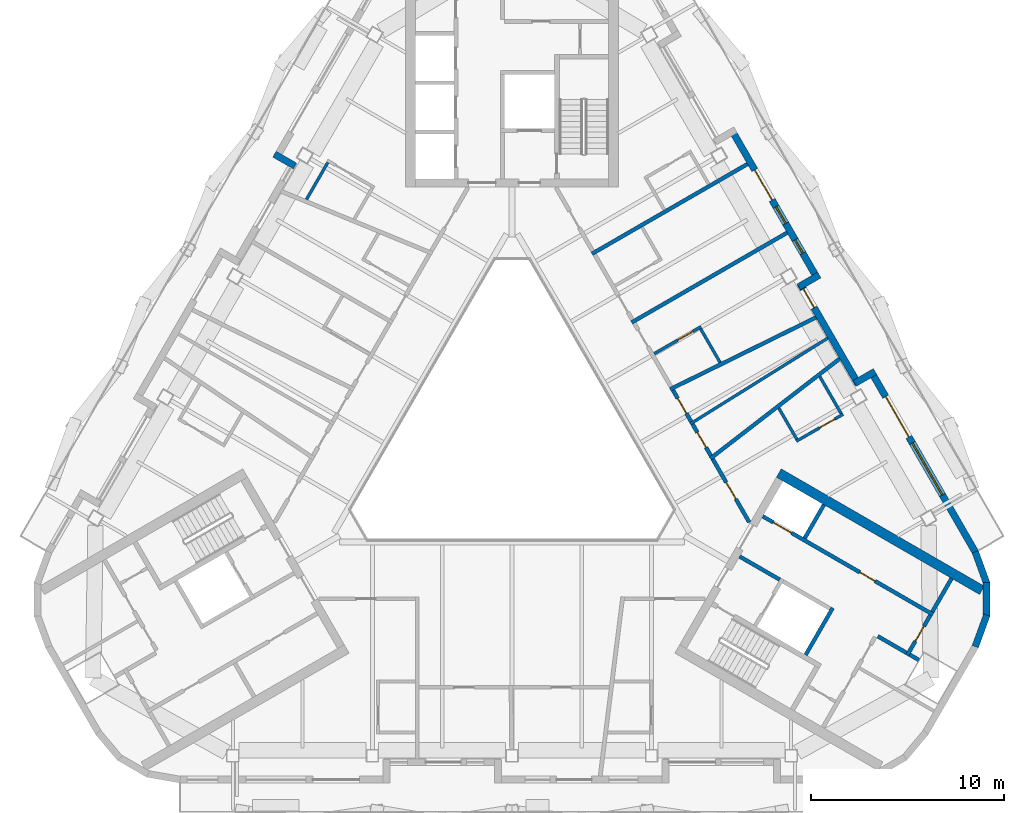
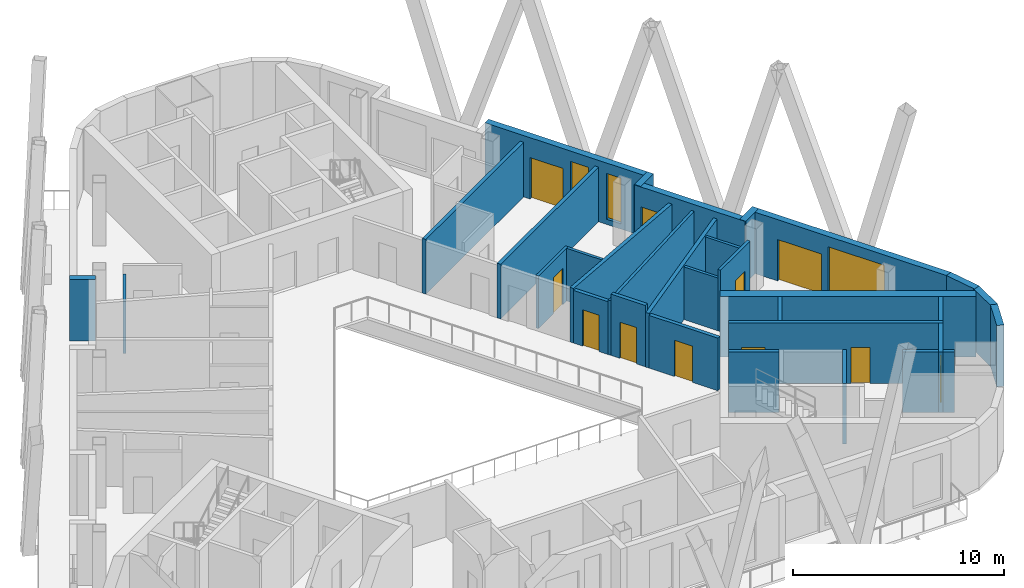
# One storey, part 6 of 13: 32 walls, 11 doors, 3 windows, 14 openings.
"""IFC4 building model written with IfcOpenShell, lengths in metres."""

from ifc_helpers import new_model, si_unit, direction, frame, frame_2d, origin, place, context, subcontext, project, spatial, rectangle, extrude, material, layer, layer_set, type_object, element, fill, save


model = new_model("IFC4")

# Units and contexts
model_context = context("Model", 3, precision=1e-05, world=origin(), true_north=direction((0.0, 1.0)))
body_context = subcontext(model_context, "Body", "Model", "MODEL_VIEW")
ifc_project = project(units=[si_unit("LENGTHUNIT", "METRE"), si_unit("AREAUNIT", "SQUARE_METRE"), si_unit("VOLUMEUNIT", "CUBIC_METRE"), si_unit("PLANEANGLEUNIT", "RADIAN"), si_unit("MASSUNIT", "GRAM", prefix="KILO")], contexts=[model_context])

# Site, building, storey
site_placement = place(None, origin())
site = spatial("IfcSite", under=ifc_project, at=site_placement, CompositionType="ELEMENT")
building_placement = place(site_placement, origin())
building = spatial("IfcBuilding", under=site, at=building_placement, Name="Apuvela Tower Hotel", CompositionType="ELEMENT")
storey_placement = place(building_placement, frame((0.0, 0.0, 280.0)))
storey = spatial("IfcBuildingStorey", under=building, at=storey_placement, Name="L69", CompositionType="ELEMENT", Elevation=280.0)

# Walls
ifc_material_1 = material(Name="Concrete C50/60", Category="concrete")
ifc_layer_1 = layer(ifc_material_1, 0.5)
ifc_layer_set_1 = layer_set([ifc_layer_1], Name="COR-WALL-CORE-500")
wall_type_1 = type_object("IfcWallType", Name="COR-WALL-CORE-500", PredefinedType="SHEAR", material=ifc_layer_set_1)
wall_1_placement = place(storey_placement, frame((13.796630859375, -1.9033203125, 0.0), z_axis=(0.0, 0.0, 1.0), x_axis=(0.866024688907, -0.500001238203, 0.0)))
element("IfcWall", 1, at=wall_1_placement, inside=storey, type_object=wall_type_1, Name="Core wall SE", PredefinedType="SHEAR", context=body_context, shape_type="SweptSolid", body=[
    extrude(rectangle(XDim=12.12890625, YDim=0.5, at=frame_2d((6.064453125, 0.0))), origin(), (0.0, 0.0, 1.0), 3.5),
])
ifc_layer_2 = layer(ifc_material_1, 0.199951171875)
ifc_layer_set_2 = layer_set([ifc_layer_2], Name="COR-WALL-SHAFT-200")
wall_type_2 = type_object("IfcWallType", Name="COR-WALL-SHAFT-200", PredefinedType="SHEAR", material=ifc_layer_set_2)
wall_2_placement = place(storey_placement, frame((15.181396484375, -11.305419921875, 0.0), z_axis=(0.0, 0.0, 1.0), x_axis=(0.49994636267, 0.866056369097, 0.0)))
element("IfcWall", 2, at=wall_2_placement, inside=storey, type_object=wall_type_2, Name="Shaft wall SE", PredefinedType="SHEAR", context=body_context, shape_type="SweptSolid", body=[
    extrude(rectangle(XDim=2.800048828125, YDim=0.199951171875, at=frame_2d((1.39990234375, 0.0))), origin(), (0.0, 0.0, 1.0), 3.5),
])
wall_3_placement = place(storey_placement, frame((11.76806640625, -6.217041015625, 0.0), z_axis=(0.0, 0.0, 1.0), x_axis=(0.866050077142, -0.499957262057, 0.0)))
element("IfcWall", 3, at=wall_3_placement, inside=storey, type_object=wall_type_2, Name="Shaft wall SE", PredefinedType="SHEAR", context=body_context, shape_type="SweptSolid", body=[
    extrude(rectangle(XDim=2.400146484375, YDim=0.199951171875, at=frame_2d((1.2001953125, 0.0))), origin(), (0.0, 0.0, 1.0), 3.5),
])

# Wall, openings, doors
wall_4_placement = place(storey_placement, frame((12.968017578125, -4.138427734375, 0.0), z_axis=(0.0, 0.0, 1.0), x_axis=(0.866028328073, -0.49999493495, 0.0)))
wall_4 = element("IfcWall", 4, at=wall_4_placement, inside=storey, type_object=wall_type_2, Name="Shaft wall SE", PredefinedType="SHEAR", context=body_context, shape_type="SweptSolid", body=[
    extrude(rectangle(XDim=10.16015625, YDim=0.199951171875, at=frame_2d((5.080078125, 0.0))), origin(), (0.0, 0.0, 1.0), 3.5),
])
opening_1_placement = place(wall_4_placement, frame((0.6201171875, 0.0, 0.0)))
opening_1 = element("IfcOpeningElement", 5, at=opening_1_placement, cuts=wall_4, Name="Opening E-LD-HR3", PredefinedType="OPENING", context=body_context, shape_type="SweptSolid", body=[
    extrude(rectangle(XDim=1.10009765625, YDim=2.10009765625, at=frame_2d((0.550048828125, 1.050048828125))), frame((0.0, 0.10986328125, 0.0), z_axis=(0.0, -1.0, 0.0), x_axis=(1.0, 0.0, 0.0)), (0.0, 0.0, 1.0), 0.219970703125),
])
opening_2_placement = place(wall_4_placement, frame((5.800048828125, 0.0, 0.0)))
opening_2 = element("IfcOpeningElement", 6, at=opening_2_placement, cuts=wall_4, Name="Opening E-RE2", PredefinedType="OPENING", context=body_context, shape_type="SweptSolid", body=[
    extrude(rectangle(XDim=0.89990234375, YDim=2.10009765625, at=frame_2d((0.449951171875, 1.050048828125))), frame((0.0, 0.10986328125, 0.0), z_axis=(0.0, -1.0, 0.0), x_axis=(1.0, 0.0, 0.0)), (0.0, 0.0, 1.0), 0.219970703125),
])
ifc_material_2 = material(Name="Steel fire door, powder coated", Category="steel")
door_type_1 = type_object("IfcDoorType", Name="COR-DR-900", OperationType="NOTDEFINED", PredefinedType="DOOR", material=ifc_material_2)
door_1_placement = place(opening_2_placement, origin())
door_1 = element("IfcDoor", 7, at=door_1_placement, inside=storey, type_object=door_type_1, Name="Store door E-RE2", OperationType="SINGLE_SWING_LEFT", OverallHeight=2.10009765625, OverallWidth=0.89990234375, PredefinedType="DOOR", context=body_context, shape_type="SweptSolid", body=[
    extrude(rectangle(XDim=0.89990234375, YDim=2.10009765625, at=frame_2d((0.449951171875, 1.050048828125))), frame((0.0, 0.02490234375, 0.0), z_axis=(0.0, -1.0, 0.0), x_axis=(1.0, 0.0, 0.0)), (0.0, 0.0, 1.0), 0.050048828125),
])
fill(opening_2, door_1)
ifc_material_3 = material(Name="Stainless steel lift landing door", Category="steel")
door_type_2 = type_object("IfcDoorType", Name="COR-LD-1100", OperationType="DOUBLE_DOOR_SLIDING", PredefinedType="DOOR", material=ifc_material_3)
door_2_placement = place(opening_1_placement, origin())
door_2 = element("IfcDoor", 8, at=door_2_placement, inside=storey, type_object=door_type_2, Name="Lift landing door E-LD-HR3", OperationType="DOUBLE_DOOR_SLIDING", OverallHeight=2.10009765625, OverallWidth=1.10009765625, PredefinedType="DOOR", context=body_context, shape_type="SweptSolid", body=[
    extrude(rectangle(XDim=1.10009765625, YDim=2.10009765625, at=frame_2d((0.550048828125, 1.050048828125))), frame((0.0, 0.02490234375, 0.0), z_axis=(0.0, -1.0, 0.0), x_axis=(1.0, 0.0, 0.0)), (0.0, 0.0, 1.0), 0.050048828125),
])
fill(opening_1, door_2)

# Wall, opening, door
wall_5_placement = place(storey_placement, frame((20.430419921875, -11.33349609375, 0.0), z_axis=(0.0, 0.0, 1.0), x_axis=(0.500001309137, 0.866024647952, 0.0)))
wall_5 = element("IfcWall", 9, at=wall_5_placement, inside=storey, type_object=wall_type_2, Name="Shaft wall SE", PredefinedType="SHEAR", context=body_context, shape_type="SweptSolid", body=[
    extrude(rectangle(XDim=2.39990234375, YDim=0.199951171875, at=frame_2d((1.199951171875, 0.0))), origin(), (0.0, 0.0, 1.0), 3.5),
])
opening_3_placement = place(wall_5_placement, frame((0.85009765625, 0.0, 0.0)))
opening_3 = element("IfcOpeningElement", 10, at=opening_3_placement, cuts=wall_5, Name="Opening E-REP", PredefinedType="OPENING", context=body_context, shape_type="SweptSolid", body=[
    extrude(rectangle(XDim=0.89990234375, YDim=2.10009765625, at=frame_2d((0.449951171875, 1.050048828125))), frame((0.0, 0.10986328125, 0.0), z_axis=(0.0, -1.0, 0.0), x_axis=(1.0, 0.0, 0.0)), (0.0, 0.0, 1.0), 0.219970703125),
])
door_3_placement = place(opening_3_placement, frame((0.89990234375, 0.0, 0.0), z_axis=(0.0, 0.0, 1.0), x_axis=(-1.0, 0.0, 0.0)))
door_3 = element("IfcDoor", 11, at=door_3_placement, inside=storey, type_object=door_type_1, Name="Store door E-REP", OperationType="SINGLE_SWING_RIGHT", OverallHeight=2.10009765625, OverallWidth=0.89990234375, PredefinedType="DOOR", context=body_context, shape_type="SweptSolid", body=[
    extrude(rectangle(XDim=0.89990234375, YDim=2.10009765625, at=frame_2d((0.449951171875, 1.050048828125))), frame((0.0, 0.02490234375, 0.0), z_axis=(0.0, -1.0, 0.0), x_axis=(1.0, 0.0, 0.0)), (0.0, 0.0, 1.0), 0.050048828125),
])
fill(opening_3, door_3)

# Walls
wall_6_placement = place(storey_placement, frame((18.912841796875, -10.342041015625, 0.0), z_axis=(0.0, 0.0, 1.0), x_axis=(0.866038183914, -0.499977863513, 0.0)))
element("IfcWall", 12, at=wall_6_placement, inside=storey, type_object=wall_type_2, Name="Shaft wall SE", PredefinedType="SHEAR", context=body_context, shape_type="SweptSolid", body=[
    extrude(rectangle(XDim=1.7099609375, YDim=0.199951171875, at=frame_2d((0.85498046875, 0.0))), origin(), (0.0, 0.0, 1.0), 3.5),
])
for number, where, z_axis, x_axis, name in (
    (13, (15.131103515625, -5.27197265625, 0.0), (0.0, 0.0, 1.0), (0.499972520799, 0.866041268327, 0.0), "Shaft wall SE"),
    (14, (21.73046875, -9.081787109375, 0.0), (0.0, 0.0, 1.0), (0.50002537861, 0.866010750942, 0.0), "Shaft wall SE"),
):
    element("IfcWall", number, at=place(storey_placement, frame(where, z_axis=z_axis, x_axis=x_axis)), inside=storey, type_object=wall_type_2, Name=name, PredefinedType="SHEAR", context=body_context, shape_type="SweptSolid", body=[
        extrude(rectangle(XDim=2.0, YDim=0.199951171875, at=frame_2d((1.0, 0.0))), origin(), (0.0, 0.0, 1.0), 3.5),
    ])
wall_7_placement = place(storey_placement, frame((20.56689453125, -11.297119140625, 0.0), z_axis=(0.0, 0.0, 1.0), x_axis=(0.866237429803, -0.49963258021, 0.0)))
element("IfcWall", 15, at=wall_7_placement, inside=storey, type_object=wall_type_2, Name="Shaft wall SE", PredefinedType="SHEAR", context=body_context, shape_type="SweptSolid", body=[
    extrude(rectangle(XDim=0.548828125, YDim=0.199951171875, at=frame_2d((0.2744140625, 0.0))), origin(), (0.0, 0.0, 1.0), 3.5),
])
ifc_material_4 = material(Name="Concrete C40/50, dark pigmented precast panel", Category="concrete")
ifc_layer_3 = layer(ifc_material_4, 0.35009765625)
ifc_layer_set_3 = layer_set([ifc_layer_3], Name="ENV-WALL-350")
wall_type_3 = type_object("IfcWallType", Name="ENV-WALL-350", PredefinedType="SOLIDWALL", material=ifc_layer_set_3)
wall_8_placement = place(storey_placement, frame((-12.281494140625, 14.585205078125, 0.0), z_axis=(0.0, 0.0, 1.0), x_axis=(0.866005645448, -0.500034220881, 0.0)))
element("IfcWall", 16, at=wall_8_placement, inside=storey, type_object=wall_type_3, Name="External wall L69-02", PredefinedType="SOLIDWALL", context=body_context, shape_type="SweptSolid", body=[
    extrude(rectangle(XDim=1.22021484375, YDim=0.35009765625, at=frame_2d((0.610107421875, 0.0))), origin(), (0.0, 0.0, 1.0), 3.550048828125),
])
for number, where, z_axis, x_axis, name in (
    (17, (23.954833984375, -10.8818359375, 0.0), (0.0, 0.0, 1.0), (0.34201271391, 0.939695324839, 0.0), "External wall L69-30"),
    (18, (24.541015625, -9.302490234375, 0.0), (0.0, 0.0, 1.0), (0.0, 1.0, 0.0), "External wall L69-31"),
    (19, (24.551513671875, -7.61767578125, 0.0), (0.0, 0.0, 1.0), (-0.34201271391, 0.939695324839, 0.0), "External wall L69-32"),
):
    element("IfcWall", number, at=place(storey_placement, frame(where, z_axis=z_axis, x_axis=x_axis)), inside=storey, type_object=wall_type_3, Name=name, PredefinedType="SOLIDWALL", context=body_context, shape_type="SweptSolid", body=[
        extrude(rectangle(XDim=1.74462890625, YDim=0.35009765625, at=frame_2d((0.872314453125, 0.0))), origin(), (0.0, 0.0, 1.0), 3.550048828125),
    ])

# Wall, openings, door, window
wall_9_placement = place(storey_placement, frame((23.9677734375, -6.005859375, 0.0), z_axis=(0.0, 0.0, 1.0), x_axis=(-0.500008899612, 0.86602026553, 0.0)))
wall_9 = element("IfcWall", 20, at=wall_9_placement, inside=storey, type_object=wall_type_3, Name="External wall L69-33", PredefinedType="SOLIDWALL", context=body_context, shape_type="SweptSolid", body=[
    extrude(rectangle(XDim=10.869873046875, YDim=0.35009765625, at=frame_2d((5.43505859375, 0.0))), origin(), (0.0, 0.0, 1.0), 3.550048828125),
])
opening_4_placement = place(wall_9_placement, frame((6.894287109375, 0.0, 0.0)))
opening_4 = element("IfcOpeningElement", 21, at=opening_4_placement, cuts=wall_9, Name="Opening BD24", PredefinedType="OPENING", context=body_context, shape_type="SweptSolid", body=[
    extrude(rectangle(XDim=2.39990234375, YDim=2.39990234375, at=frame_2d((1.199951171875, 1.199951171875))), frame((0.0, 0.18505859375, 0.0), z_axis=(0.0, -1.0, 0.0), x_axis=(1.0, 0.0, 0.0)), (0.0, 0.0, 1.0), 0.3701171875),
])
opening_5_placement = place(wall_9_placement, frame((3.42919921875, 0.0, 0.300048828125)))
opening_5 = element("IfcOpeningElement", 22, at=opening_5_placement, cuts=wall_9, Name="Opening WN31", PredefinedType="OPENING", context=body_context, shape_type="SweptSolid", body=[
    extrude(rectangle(XDim=3.10009765625, YDim=2.64990234375, at=frame_2d((1.550048828125, 1.324951171875))), frame((0.0, 0.18505859375, 0.0), z_axis=(0.0, -1.0, 0.0), x_axis=(1.0, 0.0, 0.0)), (0.0, 0.0, 1.0), 0.3701171875),
])
ifc_material_5 = material(Name="Aluminium 6063-T6, dark bronze anodised frame with dark tinted laminated glass", Category="aluminium")
door_type_3 = type_object("IfcDoorType", Name="ENV-DOOR-BALCONY-2400x2400", OperationType="SLIDING_TO_LEFT", PredefinedType="DOOR", material=ifc_material_5)
door_4_placement = place(opening_4_placement, frame((2.39990234375, 0.0, 0.0), z_axis=(0.0, 0.0, 1.0), x_axis=(-1.0, 0.0, 0.0)))
door_4 = element("IfcDoor", 23, at=door_4_placement, inside=storey, type_object=door_type_3, Name="Balcony door BD24", OperationType="SLIDING_TO_LEFT", OverallHeight=2.39990234375, OverallWidth=2.39990234375, PredefinedType="DOOR", context=body_context, shape_type="SweptSolid", body=[
    extrude(rectangle(XDim=2.39990234375, YDim=2.39990234375, at=frame_2d((1.199951171875, 1.199951171875))), frame((0.0, 0.02490234375, 0.0), z_axis=(0.0, -1.0, 0.0), x_axis=(1.0, 0.0, 0.0)), (0.0, 0.0, 1.0), 0.050048828125),
])
fill(opening_4, door_4)
ifc_material_6 = material(Name="Glass, dark tinted laminated insulated glazing unit", Category="glass")
window_type_1 = type_object("IfcWindowType", Name="ENV-WIN-3100x2650", PartitioningType="SINGLE_PANEL", PredefinedType="WINDOW", material=ifc_material_6)
window_1_placement = place(opening_5_placement, origin())
window_1 = element("IfcWindow", 24, at=window_1_placement, inside=storey, type_object=window_type_1, Name="Window WN31", OverallHeight=2.64990234375, OverallWidth=3.10009765625, PartitioningType="SINGLE_PANEL", PredefinedType="WINDOW", context=body_context, shape_type="SweptSolid", body=[
    extrude(rectangle(XDim=3.10009765625, YDim=2.64990234375, at=frame_2d((1.550048828125, 1.324951171875))), frame((0.0, 0.030029296875, 0.0), z_axis=(0.0, -1.0, 0.0), x_axis=(1.0, 0.0, 0.0)), (0.0, 0.0, 1.0), 0.06005859375),
])
fill(opening_5, window_1)

# Wall
wall_10_placement = place(storey_placement, frame((18.77197265625, 3.343505859375, 0.0), z_axis=(0.0, 0.0, 1.0), x_axis=(-0.866005645448, -0.500034220881, 0.0)))
element("IfcWall", 25, at=wall_10_placement, inside=storey, type_object=wall_type_3, Name="External wall L69-34", PredefinedType="SOLIDWALL", context=body_context, shape_type="SweptSolid", body=[
    extrude(rectangle(XDim=1.22021484375, YDim=0.35009765625, at=frame_2d((0.610107421875, 0.0))), origin(), (0.0, 0.0, 1.0), 3.550048828125),
])

# Wall, opening, door
wall_11_placement = place(storey_placement, frame((17.913330078125, 2.680419921875, 0.0), z_axis=(0.0, 0.0, 1.0), x_axis=(-0.499985371027, 0.866033849661, 0.0)))
wall_11 = element("IfcWall", 26, at=wall_11_placement, inside=storey, type_object=wall_type_3, Name="External wall L69-35", PredefinedType="SOLIDWALL", context=body_context, shape_type="SweptSolid", body=[
    extrude(rectangle(XDim=6.055419921875, YDim=0.35009765625, at=frame_2d((3.02783203125, 0.0))), origin(), (0.0, 0.0, 1.0), 3.550048828125),
])
opening_6_placement = place(wall_11_placement, frame((4.58984375, 0.0, 0.0)))
opening_6 = element("IfcOpeningElement", 27, at=opening_6_placement, cuts=wall_11, Name="Opening BD11", PredefinedType="OPENING", context=body_context, shape_type="SweptSolid", body=[
    extrude(rectangle(XDim=1.10009765625, YDim=2.39990234375, at=frame_2d((0.550048828125, 1.199951171875))), frame((0.0, 0.18505859375, 0.0), z_axis=(0.0, -1.0, 0.0), x_axis=(1.0, 0.0, 0.0)), (0.0, 0.0, 1.0), 0.3701171875),
])
door_type_4 = type_object("IfcDoorType", Name="ENV-DOOR-BALCONY-1100x2400", OperationType="SLIDING_TO_LEFT", PredefinedType="DOOR", material=ifc_material_5)
door_5_placement = place(opening_6_placement, frame((1.10009765625, 0.0, 0.0), z_axis=(0.0, 0.0, 1.0), x_axis=(-1.0, 0.0, 0.0)))
door_5 = element("IfcDoor", 28, at=door_5_placement, inside=storey, type_object=door_type_4, Name="Balcony door BD11", OperationType="SLIDING_TO_LEFT", OverallHeight=2.39990234375, OverallWidth=1.10009765625, PredefinedType="DOOR", context=body_context, shape_type="SweptSolid", body=[
    extrude(rectangle(XDim=1.10009765625, YDim=2.39990234375, at=frame_2d((0.550048828125, 1.199951171875))), frame((0.0, 0.02490234375, 0.0), z_axis=(0.0, -1.0, 0.0), x_axis=(1.0, 0.0, 0.0)), (0.0, 0.0, 1.0), 0.050048828125),
])
fill(opening_6, door_5)

# Wall
wall_12_placement = place(storey_placement, frame((14.83251953125, 7.7265625, 0.0), z_axis=(0.0, 0.0, 1.0), x_axis=(0.866142280446, 0.499797509021, 0.0)))
element("IfcWall", 29, at=wall_12_placement, inside=storey, type_object=wall_type_3, Name="External wall L69-36", PredefinedType="SOLIDWALL", context=body_context, shape_type="SweptSolid", body=[
    extrude(rectangle(XDim=1.22021484375, YDim=0.35009765625, at=frame_2d((0.610107421875, 0.0))), origin(), (0.0, 0.0, 1.0), 3.550048828125),
])

# Wall, openings, door, windows
wall_13_placement = place(storey_placement, frame((15.8251953125, 8.097412109375, 0.0), z_axis=(0.0, 0.0, 1.0), x_axis=(-0.500006872736, 0.866021435772, 0.0)))
wall_13 = element("IfcWall", 30, at=wall_13_placement, inside=storey, type_object=wall_type_3, Name="External wall L69-37", PredefinedType="SOLIDWALL", context=body_context, shape_type="SweptSolid", body=[
    extrude(rectangle(XDim=9.015380859375, YDim=0.35009765625, at=frame_2d((4.5078125, 0.0))), origin(), (0.0, 0.0, 1.0), 3.550048828125),
])
opening_7_placement = place(wall_13_placement, frame((1.5751953125, 0.0, 0.300048828125)))
opening_7 = element("IfcOpeningElement", 31, at=opening_7_placement, cuts=wall_13, Name="Opening WN08", PredefinedType="OPENING", context=body_context, shape_type="SweptSolid", body=[
    extrude(rectangle(XDim=0.800048828125, YDim=2.64990234375, at=frame_2d((0.39990234375, 1.324951171875))), frame((0.0, 0.18505859375, 0.0), z_axis=(0.0, -1.0, 0.0), x_axis=(1.0, 0.0, 0.0)), (0.0, 0.0, 1.0), 0.3701171875),
])
opening_8_placement = place(wall_13_placement, frame((4.75, 0.0, 0.0)))
opening_8 = element("IfcOpeningElement", 32, at=opening_8_placement, cuts=wall_13, Name="Opening BD18", PredefinedType="OPENING", context=body_context, shape_type="SweptSolid", body=[
    extrude(rectangle(XDim=1.800048828125, YDim=2.39990234375, at=frame_2d((0.89990234375, 1.199951171875))), frame((0.0, 0.18505859375, 0.0), z_axis=(0.0, -1.0, 0.0), x_axis=(1.0, 0.0, 0.0)), (0.0, 0.0, 1.0), 0.3701171875),
])
opening_9_placement = place(wall_13_placement, frame((3.35009765625, 0.0, 0.300048828125)))
opening_9 = element("IfcOpeningElement", 33, at=opening_9_placement, cuts=wall_13, Name="Opening WN10", PredefinedType="OPENING", context=body_context, shape_type="SweptSolid", body=[
    extrude(rectangle(XDim=1.0, YDim=2.64990234375, at=frame_2d((0.5, 1.324951171875))), frame((0.0, 0.18505859375, 0.0), z_axis=(0.0, -1.0, 0.0), x_axis=(1.0, 0.0, 0.0)), (0.0, 0.0, 1.0), 0.3701171875),
])
door_type_5 = type_object("IfcDoorType", Name="ENV-DOOR-BALCONY-1800x2400", OperationType="SLIDING_TO_LEFT", PredefinedType="DOOR", material=ifc_material_5)
door_6_placement = place(opening_8_placement, frame((1.800048828125, 0.0, 0.0), z_axis=(0.0, 0.0, 1.0), x_axis=(-1.0, 0.0, 0.0)))
door_6 = element("IfcDoor", 34, at=door_6_placement, inside=storey, type_object=door_type_5, Name="Balcony door BD18", OperationType="SLIDING_TO_LEFT", OverallHeight=2.39990234375, OverallWidth=1.800048828125, PredefinedType="DOOR", context=body_context, shape_type="SweptSolid", body=[
    extrude(rectangle(XDim=1.800048828125, YDim=2.39990234375, at=frame_2d((0.89990234375, 1.199951171875))), frame((0.0, 0.02490234375, 0.0), z_axis=(0.0, -1.0, 0.0), x_axis=(1.0, 0.0, 0.0)), (0.0, 0.0, 1.0), 0.050048828125),
])
fill(opening_8, door_6)
window_type_2 = type_object("IfcWindowType", Name="ENV-WIN-1000x2650", PartitioningType="SINGLE_PANEL", PredefinedType="WINDOW", material=ifc_material_6)
window_2_placement = place(opening_9_placement, origin())
window_2 = element("IfcWindow", 35, at=window_2_placement, inside=storey, type_object=window_type_2, Name="Window WN10", OverallHeight=2.64990234375, OverallWidth=1.0, PartitioningType="SINGLE_PANEL", PredefinedType="WINDOW", context=body_context, shape_type="SweptSolid", body=[
    extrude(rectangle(XDim=1.0, YDim=2.64990234375, at=frame_2d((0.5, 1.324951171875))), frame((0.0, 0.030029296875, 0.0), z_axis=(0.0, -1.0, 0.0), x_axis=(1.0, 0.0, 0.0)), (0.0, 0.0, 1.0), 0.06005859375),
])
fill(opening_9, window_2)
window_type_3 = type_object("IfcWindowType", Name="ENV-WIN-800x2650", PartitioningType="SINGLE_PANEL", PredefinedType="WINDOW", material=ifc_material_6)
window_3_placement = place(opening_7_placement, origin())
window_3 = element("IfcWindow", 36, at=window_3_placement, inside=storey, type_object=window_type_3, Name="Window WN08", OverallHeight=2.64990234375, OverallWidth=0.800048828125, PartitioningType="SINGLE_PANEL", PredefinedType="WINDOW", context=body_context, shape_type="SweptSolid", body=[
    extrude(rectangle(XDim=0.800048828125, YDim=2.64990234375, at=frame_2d((0.39990234375, 1.324951171875))), frame((0.0, 0.030029296875, 0.0), z_axis=(0.0, -1.0, 0.0), x_axis=(1.0, 0.0, 0.0)), (0.0, 0.0, 1.0), 0.06005859375),
])
fill(opening_7, window_3)

# Walls
ifc_material_7 = material(Name="Gypsum board partition on twin steel stud", Category="steel")
ifc_layer_4 = layer(ifc_material_7, 0.199951171875)
ifc_layer_set_4 = layer_set([ifc_layer_4], Name="GST-PW1")
wall_type_4 = type_object("IfcWallType", Name="GST-PW1", PredefinedType="PARTITIONING", material=ifc_layer_set_4)
wall_14_placement = place(storey_placement, frame((16.944580078125, 4.00830078125, 0.0), z_axis=(0.0, 0.0, 1.0), x_axis=(-0.791722394734, -0.610881043801, 0.0)))
element("IfcWall", 37, at=wall_14_placement, inside=storey, type_object=wall_type_4, Name="L69 partition 04", PredefinedType="PARTITIONING", context=body_context, shape_type="SweptSolid", body=[
    extrude(rectangle(XDim=8.453857421875, YDim=0.199951171875, at=frame_2d((4.22705078125, 0.0))), origin(), (0.0, 0.0, 1.0), 3.159912109375),
])
wall_15_placement = place(storey_placement, frame((15.714599609375, 6.13916015625, 0.0), z_axis=(0.0, 0.0, 1.0), x_axis=(-0.897120508699, -0.44178591294, 0.0)))
element("IfcWall", 38, at=wall_15_placement, inside=storey, type_object=wall_type_4, Name="L69 partition 05", PredefinedType="PARTITIONING", context=body_context, shape_type="SweptSolid", body=[
    extrude(rectangle(XDim=8.39697265625, YDim=0.199951171875, at=frame_2d((4.198486328125, 0.0))), origin(), (0.0, 0.0, 1.0), 3.159912109375),
])
wall_16_placement = place(storey_placement, frame((14.2236328125, 10.521484375, 0.0), z_axis=(0.0, 0.0, 1.0), x_axis=(-0.866024341471, -0.500001839976, 0.0)))
element("IfcWall", 39, at=wall_16_placement, inside=storey, type_object=wall_type_4, Name="L69 partition 06", PredefinedType="PARTITIONING", context=body_context, shape_type="SweptSolid", body=[
    extrude(rectangle(XDim=9.27880859375, YDim=0.199951171875, at=frame_2d((4.639404296875, 0.0))), origin(), (0.0, 0.0, 1.0), 3.159912109375),
])
wall_17_placement = place(storey_placement, frame((12.173583984375, 14.072021484375, 0.0), z_axis=(0.0, 0.0, 1.0), x_axis=(-0.866035734738, -0.499982105836, 0.0)))
element("IfcWall", 40, at=wall_17_placement, inside=storey, type_object=wall_type_4, Name="L69 partition 07", PredefinedType="PARTITIONING", context=body_context, shape_type="SweptSolid", body=[
    extrude(rectangle(XDim=9.278564453125, YDim=0.199951171875, at=frame_2d((4.63916015625, 0.0))), origin(), (0.0, 0.0, 1.0), 3.159912109375),
])

# Wall, opening, door
ifc_material_8 = material(Name="Gypsum board corridor wall on twin steel stud, acoustic", Category="steel")
ifc_layer_5 = layer(ifc_material_8, 0.199951171875)
ifc_layer_set_5 = layer_set([ifc_layer_5], Name="GST-PW2")
wall_type_5 = type_object("IfcWallType", Name="GST-PW2", PredefinedType="PARTITIONING", material=ifc_layer_set_5)
wall_18_placement = place(storey_placement, frame((10.3818359375, -1.181884765625, 0.0), z_axis=(0.0, 0.0, 1.0), x_axis=(0.50002859319, -0.866008894869, 0.0)))
wall_18 = element("IfcWall", 41, at=wall_18_placement, inside=storey, type_object=wall_type_5, Name="L69 partition 22", PredefinedType="PARTITIONING", context=body_context, shape_type="SweptSolid", body=[
    extrude(rectangle(XDim=3.773681640625, YDim=0.199951171875, at=frame_2d((1.88671875, 0.0))), origin(), (0.0, 0.0, 1.0), 3.050048828125),
])
opening_10_placement = place(wall_18_placement, frame((1.386962890625, 0.0, 0.0)))
opening_10 = element("IfcOpeningElement", 42, at=opening_10_placement, cuts=wall_18, Name="Opening GD28-08", PredefinedType="OPENING", context=body_context, shape_type="SweptSolid", body=[
    extrude(rectangle(XDim=1.0, YDim=2.10009765625, at=frame_2d((0.5, 1.050048828125))), frame((0.0, 0.10986328125, 0.0), z_axis=(0.0, -1.0, 0.0), x_axis=(1.0, 0.0, 0.0)), (0.0, 0.0, 1.0), 0.219970703125),
])
ifc_material_9 = material(Name="Timber door leaf in steel frame", Category="steel")
door_type_6 = type_object("IfcDoorType", Name="GST-D1", OperationType="NOTDEFINED", PredefinedType="DOOR", material=ifc_material_9)
door_7_placement = place(opening_10_placement, origin())
door_7 = element("IfcDoor", 43, at=door_7_placement, inside=storey, type_object=door_type_6, Name="Door L69-08", OperationType="SINGLE_SWING_LEFT", OverallHeight=2.10009765625, OverallWidth=1.0, PredefinedType="DOOR", context=body_context, shape_type="SweptSolid", body=[
    extrude(rectangle(XDim=1.0, YDim=2.10009765625, at=frame_2d((0.5, 1.050048828125))), frame((0.0, 0.02490234375, 0.0), z_axis=(0.0, -1.0, 0.0), x_axis=(1.0, 0.0, 0.0)), (0.0, 0.0, 1.0), 0.050048828125),
])
fill(opening_10, door_7)

wall_19_placement = place(storey_placement, frame((9.3388671875, 0.624755859375, 0.0), z_axis=(0.0, 0.0, 1.0), x_axis=(0.499999106059, -0.866025919901, 0.0)))
wall_19 = element("IfcWall", 44, at=wall_19_placement, inside=storey, type_object=wall_type_5, Name="L69 partition 27", PredefinedType="PARTITIONING", context=body_context, shape_type="SweptSolid", body=[
    extrude(rectangle(XDim=1.88427734375, YDim=0.199951171875, at=frame_2d((0.942138671875, 0.0))), origin(), (0.0, 0.0, 1.0), 3.550048828125),
])
opening_11_placement = place(wall_19_placement, frame((0.4921875, 0.0, 0.0)))
opening_11 = element("IfcOpeningElement", 45, at=opening_11_placement, cuts=wall_19, Name="Opening GD28-09", PredefinedType="OPENING", context=body_context, shape_type="SweptSolid", body=[
    extrude(rectangle(XDim=0.89990234375, YDim=2.10009765625, at=frame_2d((0.449951171875, 1.050048828125))), frame((0.0, 0.10986328125, 0.0), z_axis=(0.0, -1.0, 0.0), x_axis=(1.0, 0.0, 0.0)), (0.0, 0.0, 1.0), 0.219970703125),
])
door_type_7 = type_object("IfcDoorType", Name="GST-D2", OperationType="NOTDEFINED", PredefinedType="DOOR", material=ifc_material_9)
door_8_placement = place(opening_11_placement, origin())
door_8 = element("IfcDoor", 46, at=door_8_placement, inside=storey, type_object=door_type_7, Name="Door L69-09", OperationType="SINGLE_SWING_LEFT", OverallHeight=2.10009765625, OverallWidth=0.89990234375, PredefinedType="DOOR", context=body_context, shape_type="SweptSolid", body=[
    extrude(rectangle(XDim=0.89990234375, YDim=2.10009765625, at=frame_2d((0.449951171875, 1.050048828125))), frame((0.0, 0.02490234375, 0.0), z_axis=(0.0, -1.0, 0.0), x_axis=(1.0, 0.0, 0.0)), (0.0, 0.0, 1.0), 0.050048828125),
])
fill(opening_11, door_8)

wall_20_placement = place(storey_placement, frame((8.3212890625, 2.386962890625, 0.0), z_axis=(0.0, 0.0, 1.0), x_axis=(0.500081217305, -0.865978507874, 0.0)))
wall_20 = element("IfcWall", 47, at=wall_20_placement, inside=storey, type_object=wall_type_5, Name="L69 partition 28", PredefinedType="PARTITIONING", context=body_context, shape_type="SweptSolid", body=[
    extrude(rectangle(XDim=1.885009765625, YDim=0.199951171875, at=frame_2d((0.9423828125, 0.0))), origin(), (0.0, 0.0, 1.0), 3.050048828125),
])
opening_12_placement = place(wall_20_placement, frame((0.492431640625, 0.0, 0.0)))
opening_12 = element("IfcOpeningElement", 48, at=opening_12_placement, cuts=wall_20, Name="Opening GD28-10", PredefinedType="OPENING", context=body_context, shape_type="SweptSolid", body=[
    extrude(rectangle(XDim=0.89990234375, YDim=2.10009765625, at=frame_2d((0.449951171875, 1.050048828125))), frame((0.0, 0.10986328125, 0.0), z_axis=(0.0, -1.0, 0.0), x_axis=(1.0, 0.0, 0.0)), (0.0, 0.0, 1.0), 0.219970703125),
])
door_9_placement = place(opening_12_placement, origin())
door_9 = element("IfcDoor", 49, at=door_9_placement, inside=storey, type_object=door_type_7, Name="Door L69-10", OperationType="SINGLE_SWING_RIGHT", OverallHeight=2.10009765625, OverallWidth=0.89990234375, PredefinedType="DOOR", context=body_context, shape_type="SweptSolid", body=[
    extrude(rectangle(XDim=0.89990234375, YDim=2.10009765625, at=frame_2d((0.449951171875, 1.050048828125))), frame((0.0, 0.02490234375, 0.0), z_axis=(0.0, -1.0, 0.0), x_axis=(1.0, 0.0, 0.0)), (0.0, 0.0, 1.0), 0.050048828125),
])
fill(opening_12, door_9)

ifc_material_10 = material(Name="Moisture-resistant gypsum board wet wall on steel stud", Category="steel")
ifc_layer_6 = layer(ifc_material_10, 0.14990234375)
ifc_layer_set_6 = layer_set([ifc_layer_6], Name="GST-PW3")
wall_type_6 = type_object("IfcWallType", Name="GST-PW3", PredefinedType="PARTITIONING", material=ifc_layer_set_6)
wall_21_placement = place(storey_placement, frame((14.699462890625, -0.260009765625, 0.0), z_axis=(0.0, 0.0, 1.0), x_axis=(0.866034573852, 0.49998411664, 0.0)))
wall_21 = element("IfcWall", 50, at=wall_21_placement, inside=storey, type_object=wall_type_6, Name="L69 partition 23", PredefinedType="PARTITIONING", context=body_context, shape_type="SweptSolid", body=[
    extrude(rectangle(XDim=2.7998046875, YDim=0.14990234375, at=frame_2d((1.39990234375, 0.0))), origin(), (0.0, 0.0, 1.0), 3.550048828125),
])
opening_13_placement = place(wall_21_placement, frame((1.39990234375, 0.0, 0.0)))
opening_13 = element("IfcOpeningElement", 51, at=opening_13_placement, cuts=wall_21, Name="Opening GD28-07", PredefinedType="OPENING", context=body_context, shape_type="SweptSolid", body=[
    extrude(rectangle(XDim=0.89990234375, YDim=2.10009765625, at=frame_2d((0.449951171875, 1.050048828125))), frame((0.0, 0.0849609375, 0.0), z_axis=(0.0, -1.0, 0.0), x_axis=(1.0, 0.0, 0.0)), (0.0, 0.0, 1.0), 0.169921875),
])
door_10_placement = place(opening_13_placement, origin())
door_10 = element("IfcDoor", 52, at=door_10_placement, inside=storey, type_object=door_type_7, Name="Door L69-07", OperationType="SINGLE_SWING_RIGHT", OverallHeight=2.10009765625, OverallWidth=0.89990234375, PredefinedType="DOOR", context=body_context, shape_type="SweptSolid", body=[
    extrude(rectangle(XDim=0.89990234375, YDim=2.10009765625, at=frame_2d((0.449951171875, 1.050048828125))), frame((0.0, 0.02490234375, 0.0), z_axis=(0.0, -1.0, 0.0), x_axis=(1.0, 0.0, 0.0)), (0.0, 0.0, 1.0), 0.050048828125),
])
fill(opening_13, door_10)

# Walls
wall_22_placement = place(storey_placement, frame((17.021728515625, 1.16748046875, 0.0), z_axis=(0.0, 0.0, 1.0), x_axis=(-0.499954515395, 0.866051662741, 0.0)))
element("IfcWall", 53, at=wall_22_placement, inside=storey, type_object=wall_type_6, Name="L69 partition 24", PredefinedType="PARTITIONING", context=body_context, shape_type="SweptSolid", body=[
    extrude(rectangle(XDim=2.216064453125, YDim=0.14990234375, at=frame_2d((1.10791015625, 0.0))), origin(), (0.0, 0.0, 1.0), 3.050048828125),
])
wall_23_placement = place(storey_placement, frame((14.726806640625, -0.15771484375, 0.0), z_axis=(0.0, 0.0, 1.0), x_axis=(-0.499964847546, 0.866045698112, 0.0)))
element("IfcWall", 54, at=wall_23_placement, inside=storey, type_object=wall_type_6, Name="L69 partition 25", PredefinedType="PARTITIONING", context=body_context, shape_type="SweptSolid", body=[
    extrude(rectangle(XDim=1.860107421875, YDim=0.14990234375, at=frame_2d((0.93017578125, 0.0))), origin(), (0.0, 0.0, 1.0), 3.050048828125),
])
wall_24_placement = place(storey_placement, frame((16.32958984375, 5.07373046875, 0.0), z_axis=(0.0, 0.0, 1.0), x_axis=(-0.848469139967, -0.52924485687, 0.0)))
element("IfcWall", 55, at=wall_24_placement, inside=storey, type_object=wall_type_6, Name="L69 partition 26", PredefinedType="PARTITIONING", context=body_context, shape_type="SweptSolid", body=[
    extrude(rectangle(XDim=8.383544921875, YDim=0.14990234375, at=frame_2d((4.19189453125, 0.0))), origin(), (0.0, 0.0, 1.0), 3.159912109375),
])

# Wall, opening, door
wall_25_placement = place(storey_placement, frame((9.77685546875, 5.666015625, 0.0), z_axis=(0.0, 0.0, 1.0), x_axis=(-0.865996816683, -0.500049511043, 0.0)))
wall_25 = element("IfcWall", 56, at=wall_25_placement, inside=storey, type_object=wall_type_6, Name="L69 partition 30", PredefinedType="PARTITIONING", context=body_context, shape_type="SweptSolid", body=[
    extrude(rectangle(XDim=2.800048828125, YDim=0.14990234375, at=frame_2d((1.39990234375, 0.0))), origin(), (0.0, 0.0, 1.0), 3.050048828125),
])
opening_14_placement = place(wall_25_placement, frame((0.5, 0.0, 0.0)))
opening_14 = element("IfcOpeningElement", 57, at=opening_14_placement, cuts=wall_25, Name="Opening GD28-11", PredefinedType="OPENING", context=body_context, shape_type="SweptSolid", body=[
    extrude(rectangle(XDim=0.89990234375, YDim=2.10009765625, at=frame_2d((0.449951171875, 1.050048828125))), frame((0.0, 0.0849609375, 0.0), z_axis=(0.0, -1.0, 0.0), x_axis=(1.0, 0.0, 0.0)), (0.0, 0.0, 1.0), 0.169921875),
])
door_11_placement = place(opening_14_placement, origin())
door_11 = element("IfcDoor", 58, at=door_11_placement, inside=storey, type_object=door_type_7, Name="Door L69-11", OperationType="SINGLE_SWING_LEFT", OverallHeight=2.10009765625, OverallWidth=0.89990234375, PredefinedType="DOOR", context=body_context, shape_type="SweptSolid", body=[
    extrude(rectangle(XDim=0.89990234375, YDim=2.10009765625, at=frame_2d((0.449951171875, 1.050048828125))), frame((0.0, 0.02490234375, 0.0), z_axis=(0.0, -1.0, 0.0), x_axis=(1.0, 0.0, 0.0)), (0.0, 0.0, 1.0), 0.050048828125),
])
fill(opening_14, door_11)

# Walls
wall_26_placement = place(storey_placement, frame((10.760986328125, 3.811279296875, 0.0), z_axis=(0.0, 0.0, 1.0), x_axis=(-0.499941815747, 0.866058993873, 0.0)))
element("IfcWall", 59, at=wall_26_placement, inside=storey, type_object=wall_type_6, Name="L69 partition 31", PredefinedType="PARTITIONING", context=body_context, shape_type="SweptSolid", body=[
    extrude(rectangle(XDim=2.023193359375, YDim=0.14990234375, at=frame_2d((1.01171875, 0.0))), origin(), (0.0, 0.0, 1.0), 3.050048828125),
])
wall_27_placement = place(storey_placement, frame((-9.52197265625, 14.15771484375, 0.0), z_axis=(0.0, 0.0, 1.0), x_axis=(-0.49990681678, -0.866079196458, 0.0)))
element("IfcWall", 60, at=wall_27_placement, inside=storey, type_object=wall_type_6, Name="L69 partition 41", PredefinedType="PARTITIONING", context=body_context, shape_type="SweptSolid", body=[
    extrude(rectangle(XDim=2.21630859375, YDim=0.14990234375, at=frame_2d((1.108154296875, 0.0))), origin(), (0.0, 0.0, 1.0), 3.050048828125),
])

save(model, "model.ifc")
